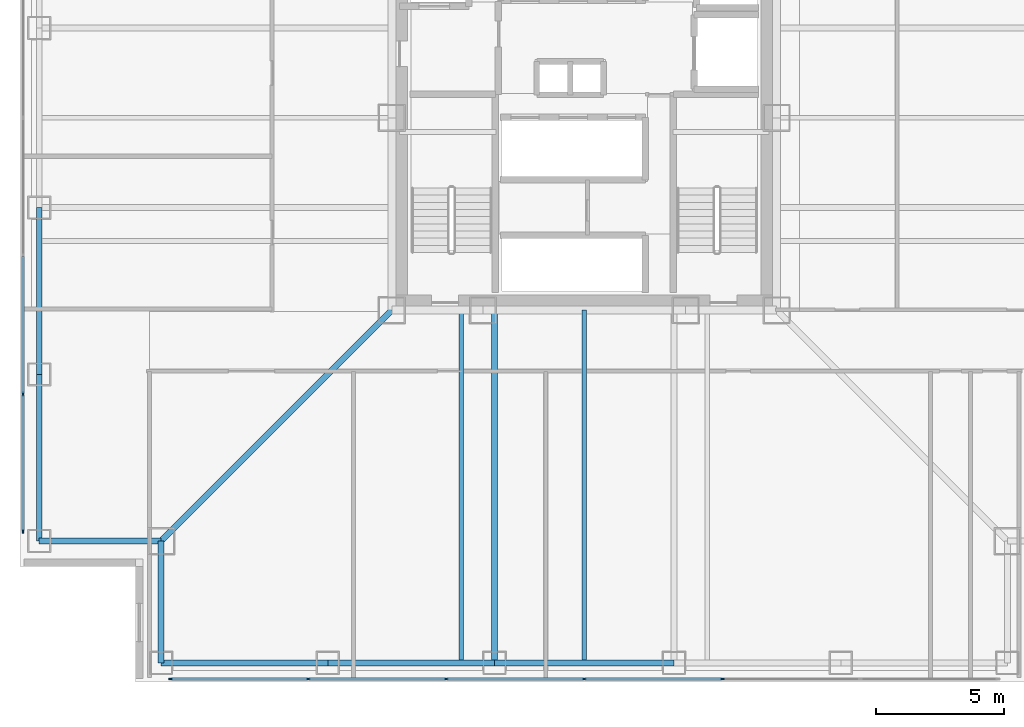
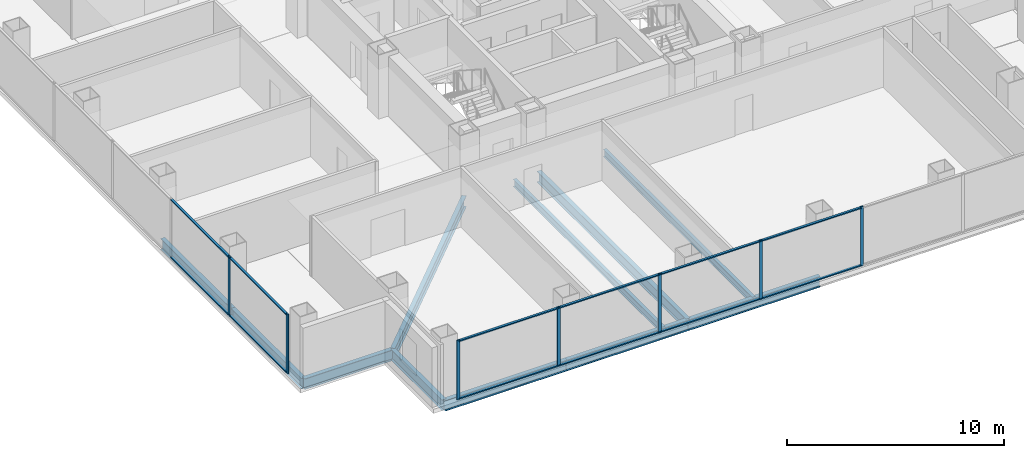
# One storey, part 2 of 14: 19 members, 11 beams, 2 elements without a shape of their own.
"""IFC4 building model written with IfcOpenShell, lengths in metres."""

from ifc_helpers import new_model, si_unit, direction, frame, origin, origin_2d, place, context, subcontext, project, spatial, rectangle, i_section, extrude, material, layer, layer_set, material_profile, profile_set, type_object, element, aggregate, save


model = new_model("IFC4")

# Units and contexts
model_context = context("Model", 3, precision=1e-05, world=origin(), true_north=direction((0.0, 1.0)))
body_context = subcontext(model_context, "Body", "Model", "MODEL_VIEW")
ifc_project = project(units=[si_unit("LENGTHUNIT", "METRE"), si_unit("AREAUNIT", "SQUARE_METRE"), si_unit("VOLUMEUNIT", "CUBIC_METRE"), si_unit("PLANEANGLEUNIT", "RADIAN"), si_unit("MASSUNIT", "GRAM", prefix="KILO")], contexts=[model_context])

# Site, building, storey
site_placement = place(None, origin())
site = spatial("IfcSite", under=ifc_project, at=site_placement, CompositionType="ELEMENT")
building_placement = place(site_placement, origin())
building = spatial("IfcBuilding", under=site, at=building_placement, Name="Trevonay Congress Spire", CompositionType="ELEMENT")
storey_placement = place(building_placement, frame((0.0, 0.0, 97.60009765625)))
storey = spatial("IfcBuildingStorey", under=building, at=storey_placement, Name="L24", CompositionType="ELEMENT", Elevation=97.60009765625)

# Beams
ifc_material_1 = material(Name="Steel ASTM A572 Grade 50", Category="steel")
ifc_material_profile_1 = material_profile(ifc_material_1, i_section(OverallWidth=0.22998046875, OverallDepth=0.616943359375, WebThickness=0.01318359375, FlangeThickness=0.022216796875, FilletRadius=0.01611328125, at=origin_2d()), Name="W610x140")
ifc_profile_set_1 = profile_set([ifc_material_profile_1], Name="Steel ASTM A572 Grade 50")
beam_type_1 = type_object("IfcBeamType", Name="BM-GIRD-W610X140", PredefinedType="BEAM", material=ifc_profile_set_1)
beam_1_placement = place(storey_placement, frame((-7.5, -7.5, -0.548583984375), z_axis=(-0.707106781187, -0.707106781187, 0.0), x_axis=(0.707106781187, -0.707106781187, 0.0)))
element("IfcBeam", 1, at=beam_1_placement, inside=storey, type_object=beam_type_1, Name="L24 structural beam BM-L24-CDSW", PredefinedType="BEAM", context=body_context, shape_type="SweptSolid", body=[
    extrude(i_section(OverallWidth=0.22998046875, OverallDepth=0.616943359375, WebThickness=0.01318359375, FlangeThickness=0.022216796875, FilletRadius=0.01611328125, at=origin_2d()), origin(), (0.0, 0.0, 1.0), 12.72802734375),
])
beam_2_placement = place(storey_placement, frame((-3.5, -7.5, -0.548583984375), z_axis=(0.0, -1.0, 0.0), x_axis=(1.0, 0.0, 0.0)))
element("IfcBeam", 2, at=beam_2_placement, inside=storey, type_object=beam_type_1, Name="L24 structural beam BM-L24-GS-M", PredefinedType="BEAM", context=body_context, shape_type="SweptSolid", body=[
    extrude(i_section(OverallWidth=0.22998046875, OverallDepth=0.616943359375, WebThickness=0.01318359375, FlangeThickness=0.022216796875, FilletRadius=0.01611328125, at=origin_2d()), origin(), (0.0, 0.0, 1.0), 13.75),
])
ifc_material_profile_2 = material_profile(ifc_material_1, i_section(OverallWidth=0.22802734375, OverallDepth=0.60791015625, WebThickness=0.01123046875, FlangeThickness=0.017333984375, FilletRadius=0.01611328125, at=origin_2d()), Name="W610x113")
ifc_profile_set_2 = profile_set([ifc_material_profile_2], Name="Steel ASTM A572 Grade 50")
beam_type_2 = type_object("IfcBeamType", Name="BM-RING-W610X113", PredefinedType="BEAM", material=ifc_profile_set_2)
for number, where, z_axis, x_axis, name in (
    (3, (-16.5, -21.25, -0.544189453125), (1.0, 0.0, 0.0), (0.0, 1.0, 0.0), "L24 structural beam BM-L24-PS1"),
    (4, (-21.25, -16.5, -0.544189453125), (0.0, 1.0, 0.0), (-1.0, 0.0, 0.0), "L24 structural beam BM-L24-PW1"),
    (5, (-10.0, -21.25, -0.544189453125), (1.0, 0.0, 0.0), (0.0, 1.0, 0.0), "L24 structural beam BM-L24-PS2"),
    (6, (-21.25, -10.0, -0.544189453125), (0.0, 1.0, 0.0), (-1.0, 0.0, 0.0), "L24 structural beam BM-L24-PW2"),
):
    element("IfcBeam", number, at=place(storey_placement, frame(where, z_axis=z_axis, x_axis=x_axis)), inside=storey, type_object=beam_type_2, Name=name, PredefinedType="BEAM", context=body_context, shape_type="SweptSolid", body=[
        extrude(i_section(OverallWidth=0.22802734375, OverallDepth=0.60791015625, WebThickness=0.01123046875, FlangeThickness=0.017333984375, FilletRadius=0.01611328125, at=origin_2d()), origin(), (0.0, 0.0, 1.0), 6.5),
    ])
beam_3_placement = place(storey_placement, frame((-3.5, -21.25, -0.544189453125), z_axis=(1.0, 0.0, 0.0), x_axis=(0.0, 1.0, 0.0)))
element("IfcBeam", 7, at=beam_3_placement, inside=storey, type_object=beam_type_2, Name="L24 structural beam BM-L24-PS3", PredefinedType="BEAM", context=body_context, shape_type="SweptSolid", body=[
    extrude(i_section(OverallWidth=0.22802734375, OverallDepth=0.60791015625, WebThickness=0.01123046875, FlangeThickness=0.017333984375, FilletRadius=0.01611328125, at=origin_2d()), origin(), (0.0, 0.0, 1.0), 7.0),
])
for number, where, z_axis, x_axis, name in (
    (8, (-16.5, -21.25, -0.544189453125), (0.0, 1.0, 0.0), (-1.0, 0.0, 0.0), "L24 structural beam BM-L24-N1SW"),
    (9, (-21.25, -16.5, -0.544189453125), (1.0, 0.0, 0.0), (0.0, 1.0, 0.0), "L24 structural beam BM-L24-N2SW"),
):
    element("IfcBeam", number, at=place(storey_placement, frame(where, z_axis=z_axis, x_axis=x_axis)), inside=storey, type_object=beam_type_2, Name=name, PredefinedType="BEAM", context=body_context, shape_type="SweptSolid", body=[
        extrude(i_section(OverallWidth=0.22802734375, OverallDepth=0.60791015625, WebThickness=0.01123046875, FlangeThickness=0.017333984375, FilletRadius=0.01611328125, at=origin_2d()), origin(), (0.0, 0.0, 1.0), 4.75),
    ])

# Curtain wall, members
ifc_material_2 = material(Name="Pale Anodised Aluminium EN AW-6063-T6", Category="aluminium")
ifc_layer = layer(ifc_material_2, 0.175048828125, Name="Pale Anodised Aluminium EN AW-6063-T6")
ifc_layer_set = layer_set([ifc_layer], Name="Pale Anodised Aluminium EN AW-6063-T6")
curtain_wall_type = type_object("IfcCurtainWallType", Name="CW-SYS03-CONGRESS-PALE-METAL", PredefinedType="NOTDEFINED", material=ifc_layer_set)
curtain_wall_1_placement = place(storey_placement, origin())
curtain_wall_1 = element("IfcCurtainWall", 10, at=curtain_wall_1_placement, inside=storey, type_object=curtain_wall_type, Name="L24 S unitised curtain wall", PredefinedType="NOTDEFINED")
ifc_material_profile_3 = material_profile(ifc_material_2, rectangle(XDim=0.06005859375, YDim=0.159912109375, at=origin_2d()), Name="CW-MULLION-160-ALUMINIUM")
ifc_profile_set_3 = profile_set([ifc_material_profile_3], Name="Pale Anodised Aluminium EN AW-6063-T6")
member_type_1 = type_object("IfcMemberType", Name="CW-MULLION-160-ALUMINIUM", PredefinedType="MULLION", material=ifc_profile_set_3)
member_1_placement = place(storey_placement, frame((-16.1201171875, -21.8798828125, 0.0), z_axis=(0.0, 0.0, 1.0), x_axis=(0.0, 1.0, 0.0)))
member_1 = element("IfcMember", 11, at=member_1_placement, type_object=member_type_1, Name="CW03 mullion 1", PredefinedType="MULLION", context=body_context, shape_type="SweptSolid", body=[
    extrude(rectangle(XDim=0.06005859375, YDim=0.159912109375, at=origin_2d()), origin(), (0.0, 0.0, 1.0), 3.35986328125),
])
member_2_placement = place(storey_placement, frame((-10.7666015625, -21.8798828125, 0.0), z_axis=(0.0, 0.0, 1.0), x_axis=(0.0, 1.0, 0.0)))
member_2 = element("IfcMember", 12, at=member_2_placement, type_object=member_type_1, Name="CW03 mullion 2", PredefinedType="MULLION", context=body_context, shape_type="SweptSolid", body=[
    extrude(rectangle(XDim=0.06005859375, YDim=0.159912109375, at=origin_2d()), origin(), (0.0, 0.0, 1.0), 3.35986328125),
])
member_3_placement = place(storey_placement, frame((-5.38330078125, -21.8798828125, 0.0), z_axis=(0.0, 0.0, 1.0), x_axis=(0.0, 1.0, 0.0)))
member_3 = element("IfcMember", 13, at=member_3_placement, type_object=member_type_1, Name="CW03 mullion 3", PredefinedType="MULLION", context=body_context, shape_type="SweptSolid", body=[
    extrude(rectangle(XDim=0.06005859375, YDim=0.159912109375, at=origin_2d()), origin(), (0.0, 0.0, 1.0), 3.35986328125),
])
member_4_placement = place(storey_placement, frame((0.0, -21.8798828125, 0.0), z_axis=(0.0, 0.0, 1.0), x_axis=(0.0, 1.0, 0.0)))
member_4 = element("IfcMember", 14, at=member_4_placement, type_object=member_type_1, Name="CW03 mullion 4", PredefinedType="MULLION", context=body_context, shape_type="SweptSolid", body=[
    extrude(rectangle(XDim=0.06005859375, YDim=0.159912109375, at=origin_2d()), origin(), (0.0, 0.0, 1.0), 3.35986328125),
])
member_5_placement = place(storey_placement, frame((5.38330078125, -21.8798828125, 0.0), z_axis=(0.0, 0.0, 1.0), x_axis=(0.0, 1.0, 0.0)))
member_5 = element("IfcMember", 15, at=member_5_placement, type_object=member_type_1, Name="CW03 mullion 5", PredefinedType="MULLION", context=body_context, shape_type="SweptSolid", body=[
    extrude(rectangle(XDim=0.06005859375, YDim=0.159912109375, at=origin_2d()), origin(), (0.0, 0.0, 1.0), 3.35986328125),
])

curtain_wall_2_placement = place(storey_placement, origin())
curtain_wall_2 = element("IfcCurtainWall", 16, at=curtain_wall_2_placement, inside=storey, type_object=curtain_wall_type, Name="L24 W unitised curtain wall", PredefinedType="NOTDEFINED")
member_6_placement = place(storey_placement, frame((-21.8798828125, -16.1201171875, 0.0), z_axis=(0.0, 0.0, 1.0), x_axis=(-1.0, 0.0, 0.0)))
member_6 = element("IfcMember", 17, at=member_6_placement, type_object=member_type_1, Name="CW03 mullion 1", PredefinedType="MULLION", context=body_context, shape_type="SweptSolid", body=[
    extrude(rectangle(XDim=0.06005859375, YDim=0.159912109375, at=origin_2d()), origin(), (0.0, 0.0, 1.0), 3.35986328125),
])
member_7_placement = place(storey_placement, frame((-21.8798828125, -10.7666015625, 0.0), z_axis=(0.0, 0.0, 1.0), x_axis=(-1.0, 0.0, 0.0)))
member_7 = element("IfcMember", 18, at=member_7_placement, type_object=member_type_1, Name="CW03 mullion 2", PredefinedType="MULLION", context=body_context, shape_type="SweptSolid", body=[
    extrude(rectangle(XDim=0.06005859375, YDim=0.159912109375, at=origin_2d()), origin(), (0.0, 0.0, 1.0), 3.35986328125),
])

# Member
ifc_material_profile_4 = material_profile(ifc_material_2, rectangle(XDim=0.1201171875, YDim=0.06005859375, at=origin_2d()), Name="CW-TRANSOM-120-ALUMINIUM")
ifc_profile_set_4 = profile_set([ifc_material_profile_4], Name="Pale Anodised Aluminium EN AW-6063-T6")
member_type_2 = type_object("IfcMemberType", Name="CW-TRANSOM-120-ALUMINIUM", PredefinedType="USERDEFINED", material=ifc_profile_set_4)
member_8_placement = place(storey_placement, frame((-16.090087890625, -21.8798828125, 0.059814453125), z_axis=(1.0, 0.0, 0.0), x_axis=(0.0, 1.0, 0.0)))
member_8 = element("IfcMember", 19, at=member_8_placement, type_object=member_type_2, Name="CW03 transom 1.1", ObjectType="TRANSOM", PredefinedType="USERDEFINED", context=body_context, shape_type="SweptSolid", body=[
    extrude(rectangle(XDim=0.1201171875, YDim=0.06005859375, at=origin_2d()), origin(), (0.0, 0.0, 1.0), 5.29345703125),
])

member_9_placement = place(storey_placement, frame((-16.090087890625, -21.8798828125, 3.2998046875), z_axis=(1.0, 0.0, 0.0), x_axis=(0.0, 1.0, 0.0)))
member_9 = element("IfcMember", 20, at=member_9_placement, type_object=member_type_2, Name="CW03 transom 1.2", ObjectType="TRANSOM", PredefinedType="USERDEFINED", context=body_context, shape_type="SweptSolid", body=[
    extrude(rectangle(XDim=0.1201171875, YDim=0.06005859375, at=origin_2d()), origin(), (0.0, 0.0, 1.0), 5.29345703125),
])

member_10_placement = place(storey_placement, frame((-10.736572265625, -21.8798828125, 0.059814453125), z_axis=(1.0, 0.0, 0.0), x_axis=(0.0, 1.0, 0.0)))
member_10 = element("IfcMember", 21, at=member_10_placement, type_object=member_type_2, Name="CW03 transom 2.1", ObjectType="TRANSOM", PredefinedType="USERDEFINED", context=body_context, shape_type="SweptSolid", body=[
    extrude(rectangle(XDim=0.1201171875, YDim=0.06005859375, at=origin_2d()), origin(), (0.0, 0.0, 1.0), 5.3232421875),
])

member_11_placement = place(storey_placement, frame((-10.736572265625, -21.8798828125, 3.2998046875), z_axis=(1.0, 0.0, 0.0), x_axis=(0.0, 1.0, 0.0)))
member_11 = element("IfcMember", 22, at=member_11_placement, type_object=member_type_2, Name="CW03 transom 2.2", ObjectType="TRANSOM", PredefinedType="USERDEFINED", context=body_context, shape_type="SweptSolid", body=[
    extrude(rectangle(XDim=0.1201171875, YDim=0.06005859375, at=origin_2d()), origin(), (0.0, 0.0, 1.0), 5.3232421875),
])

member_12_placement = place(storey_placement, frame((-5.353271484375, -21.8798828125, 0.059814453125), z_axis=(1.0, 0.0, 0.0), x_axis=(0.0, 1.0, 0.0)))
member_12 = element("IfcMember", 23, at=member_12_placement, type_object=member_type_2, Name="CW03 transom 3.1", ObjectType="TRANSOM", PredefinedType="USERDEFINED", context=body_context, shape_type="SweptSolid", body=[
    extrude(rectangle(XDim=0.1201171875, YDim=0.06005859375, at=origin_2d()), origin(), (0.0, 0.0, 1.0), 5.3232421875),
])

member_13_placement = place(storey_placement, frame((-5.353271484375, -21.8798828125, 3.2998046875), z_axis=(1.0, 0.0, 0.0), x_axis=(0.0, 1.0, 0.0)))
member_13 = element("IfcMember", 24, at=member_13_placement, type_object=member_type_2, Name="CW03 transom 3.2", ObjectType="TRANSOM", PredefinedType="USERDEFINED", context=body_context, shape_type="SweptSolid", body=[
    extrude(rectangle(XDim=0.1201171875, YDim=0.06005859375, at=origin_2d()), origin(), (0.0, 0.0, 1.0), 5.3232421875),
])

member_14_placement = place(storey_placement, frame((0.030029296875, -21.8798828125, 0.059814453125), z_axis=(1.0, 0.0, 0.0), x_axis=(0.0, 1.0, 0.0)))
member_14 = element("IfcMember", 25, at=member_14_placement, type_object=member_type_2, Name="CW03 transom 4.1", ObjectType="TRANSOM", PredefinedType="USERDEFINED", context=body_context, shape_type="SweptSolid", body=[
    extrude(rectangle(XDim=0.1201171875, YDim=0.06005859375, at=origin_2d()), origin(), (0.0, 0.0, 1.0), 5.3232421875),
])

member_15_placement = place(storey_placement, frame((0.030029296875, -21.8798828125, 3.2998046875), z_axis=(1.0, 0.0, 0.0), x_axis=(0.0, 1.0, 0.0)))
member_15 = element("IfcMember", 26, at=member_15_placement, type_object=member_type_2, Name="CW03 transom 4.2", ObjectType="TRANSOM", PredefinedType="USERDEFINED", context=body_context, shape_type="SweptSolid", body=[
    extrude(rectangle(XDim=0.1201171875, YDim=0.06005859375, at=origin_2d()), origin(), (0.0, 0.0, 1.0), 5.3232421875),
])

aggregate(curtain_wall_1, [member_1, member_2, member_3, member_4, member_5, member_8, member_9, member_10, member_11, member_12, member_13, member_14, member_15])

member_16_placement = place(storey_placement, frame((-21.8798828125, -16.090087890625, 0.059814453125), z_axis=(0.0, 1.0, 0.0), x_axis=(-1.0, 0.0, 0.0)))
member_16 = element("IfcMember", 27, at=member_16_placement, type_object=member_type_2, Name="CW03 transom 1.1", ObjectType="TRANSOM", PredefinedType="USERDEFINED", context=body_context, shape_type="SweptSolid", body=[
    extrude(rectangle(XDim=0.1201171875, YDim=0.06005859375, at=origin_2d()), origin(), (0.0, 0.0, 1.0), 5.29345703125),
])

member_17_placement = place(storey_placement, frame((-21.8798828125, -16.090087890625, 3.2998046875), z_axis=(0.0, 1.0, 0.0), x_axis=(-1.0, 0.0, 0.0)))
member_17 = element("IfcMember", 28, at=member_17_placement, type_object=member_type_2, Name="CW03 transom 1.2", ObjectType="TRANSOM", PredefinedType="USERDEFINED", context=body_context, shape_type="SweptSolid", body=[
    extrude(rectangle(XDim=0.1201171875, YDim=0.06005859375, at=origin_2d()), origin(), (0.0, 0.0, 1.0), 5.29345703125),
])

member_18_placement = place(storey_placement, frame((-21.8798828125, -10.736572265625, 0.059814453125), z_axis=(0.0, 1.0, 0.0), x_axis=(-1.0, 0.0, 0.0)))
member_18 = element("IfcMember", 29, at=member_18_placement, type_object=member_type_2, Name="CW03 transom 2.1", ObjectType="TRANSOM", PredefinedType="USERDEFINED", context=body_context, shape_type="SweptSolid", body=[
    extrude(rectangle(XDim=0.1201171875, YDim=0.06005859375, at=origin_2d()), origin(), (0.0, 0.0, 1.0), 5.3232421875),
])

member_19_placement = place(storey_placement, frame((-21.8798828125, -10.736572265625, 3.2998046875), z_axis=(0.0, 1.0, 0.0), x_axis=(-1.0, 0.0, 0.0)))
member_19 = element("IfcMember", 30, at=member_19_placement, type_object=member_type_2, Name="CW03 transom 2.2", ObjectType="TRANSOM", PredefinedType="USERDEFINED", context=body_context, shape_type="SweptSolid", body=[
    extrude(rectangle(XDim=0.1201171875, YDim=0.06005859375, at=origin_2d()), origin(), (0.0, 0.0, 1.0), 5.3232421875),
])

aggregate(curtain_wall_2, [member_6, member_7, member_16, member_17, member_18, member_19])

# Beams
ifc_material_profile_5 = material_profile(ifc_material_1, i_section(OverallWidth=0.177978515625, OverallDepth=0.406982421875, WebThickness=0.0078125, FlangeThickness=0.0126953125, FilletRadius=0.012939453125, at=origin_2d()), Name="W410x60")
ifc_profile_set_5 = profile_set([ifc_material_profile_5], Name="Steel ASTM A572 Grade 50")
beam_type_3 = type_object("IfcBeamType", Name="JS-COMP-W410X60", PredefinedType="JOIST", material=ifc_profile_set_5)
for number, where, z_axis, x_axis, name in (
    (31, (-4.800048828125, -21.25, -0.443603515625), (0.0, 1.0, 0.0), (-1.0, 0.0, 0.0), "L24 structural beam JS-L24-NS-S1"),
    (32, (0.0, -21.25, -0.443603515625), (0.0, 1.0, 0.0), (-1.0, 0.0, 0.0), "L24 structural beam JS-L24-NS-S2"),
):
    element("IfcBeam", number, at=place(storey_placement, frame(where, z_axis=z_axis, x_axis=x_axis)), inside=storey, type_object=beam_type_3, Name=name, PredefinedType="JOIST", context=body_context, shape_type="SweptSolid", body=[
        extrude(i_section(OverallWidth=0.177978515625, OverallDepth=0.406982421875, WebThickness=0.0078125, FlangeThickness=0.0126953125, FilletRadius=0.012939453125, at=origin_2d()), origin(), (0.0, 0.0, 1.0), 13.75),
    ])

save(model, "model.ifc")
